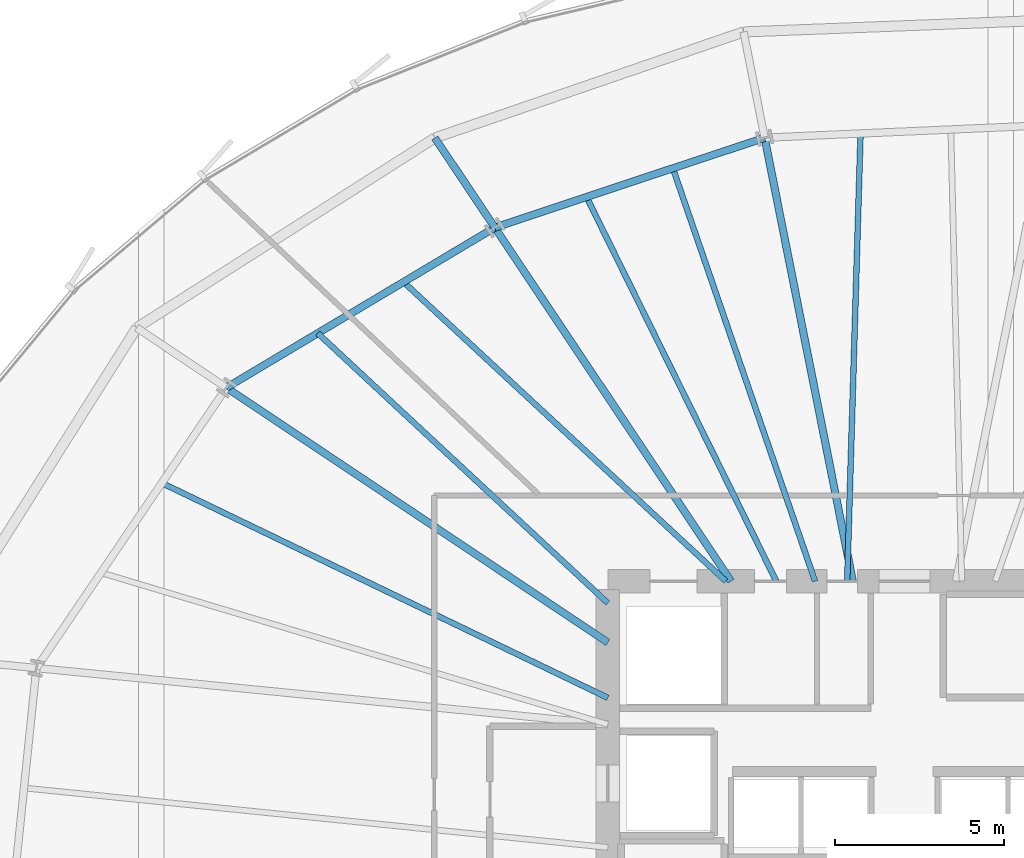
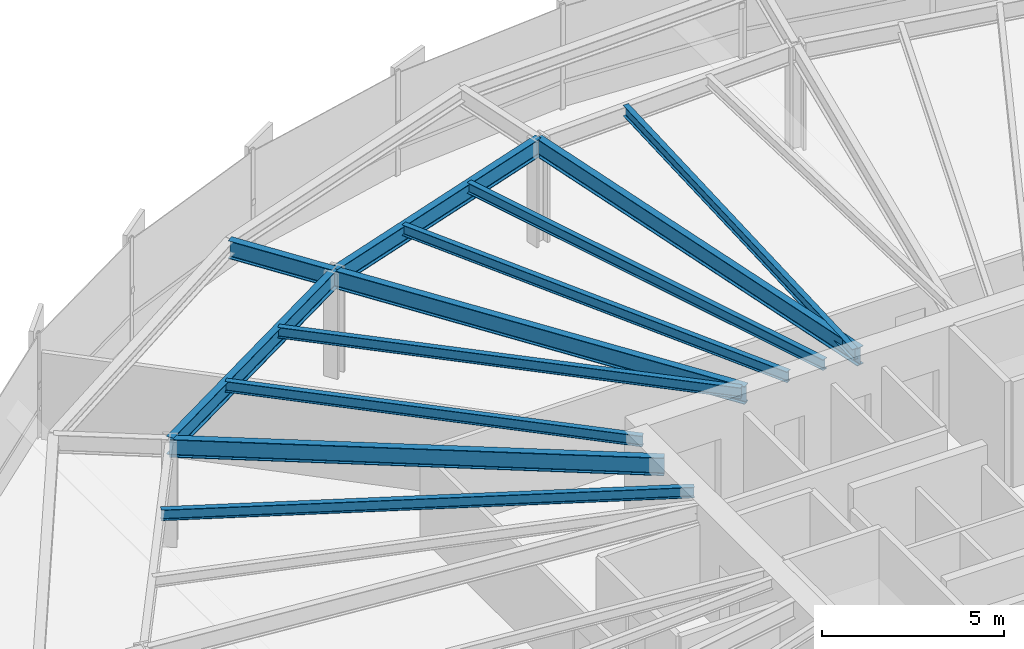
# One storey, part 22 of 39: 12 beams.
"""IFC4 building model written with IfcOpenShell, lengths in metres."""

from ifc_helpers import new_model, si_unit, direction, frame, origin, origin_2d, place, context, subcontext, project, spatial, i_section, extrude, source, transform, mapped, material, material_profile, profile_set, type_object, element, save


model = new_model("IFC4")

# Units and contexts
model_context = context("Model", 3, precision=1e-05, world=origin(), true_north=direction((0.0, 1.0)))
body_context = subcontext(model_context, "Body", "Model", "MODEL_VIEW")
ifc_project = project(units=[si_unit("LENGTHUNIT", "METRE"), si_unit("AREAUNIT", "SQUARE_METRE"), si_unit("VOLUMEUNIT", "CUBIC_METRE"), si_unit("PLANEANGLEUNIT", "RADIAN"), si_unit("MASSUNIT", "GRAM", prefix="KILO"), si_unit("THERMODYNAMICTEMPERATUREUNIT", "KELVIN")], contexts=[model_context])

# Site, building, storey
site_placement = place(None, origin())
site = spatial("IfcSite", under=ifc_project, at=site_placement, CompositionType="ELEMENT")
building_placement = place(site_placement, origin())
building = spatial("IfcBuilding", under=site, at=building_placement, Name="Kethvar Cultural Tower", CompositionType="ELEMENT")
storey_placement = place(building_placement, frame((0.0, 0.0, 33.39990234375)))
storey = spatial("IfcBuildingStorey", under=building, at=storey_placement, Name="L07", CompositionType="ELEMENT", Elevation=33.39990234375)

# Beams
ifc_material = material(Name="Steel S355J2", Category="steel")
ifc_material_profile_1 = material_profile(ifc_material, i_section(OverallWidth=0.219970703125, OverallDepth=0.60009765625, WebThickness=0.011962890625, FlangeThickness=0.01904296875, FilletRadius=0.02392578125, at=origin_2d()), Name="Steel S355J2 — IPE600")
ifc_profile_set_1 = profile_set([ifc_material_profile_1], Name="Steel S355J2 — IPE600")
beam_type_1 = type_object("IfcBeamType", Name="BM-IPE600", PredefinedType="BEAM", material=ifc_profile_set_1)
shared_shape_1 = source(origin(), body_context, "Body", "SweptSolid", [
    extrude(i_section(OverallWidth=0.219970703125, OverallDepth=0.60009765625, WebThickness=0.011962890625, FlangeThickness=0.01904296875, FilletRadius=0.02392578125, at=origin_2d()), origin(), (0.0, 0.0, 1.0), 3.199951171875),
])
beam_1_placement = place(storey_placement, frame((34.64599609375, 45.98974609375, 3.248046875), z_axis=(-0.555580212716, 0.831462943996, 0.0), x_axis=(-0.831462943996, -0.555580212716, 0.0)))
element("IfcBeam", 1, at=beam_1_placement, inside=storey, type_object=beam_type_1, Name="L07 Perimeter Cantilever Beam RC-06", PredefinedType="BEAM", context=body_context, shape_type="MappedRepresentation", body=[
    mapped(shared_shape_1, transform((0.0, 0.0, 0.0), scale=1.0)),
])
shared_shape_2 = source(origin(), body_context, "Body", "SweptSolid", [
    extrude(i_section(OverallWidth=0.219970703125, OverallDepth=0.60009765625, WebThickness=0.011962890625, FlangeThickness=0.01904296875, FilletRadius=0.02392578125, at=origin_2d()), origin(), (0.0, 0.0, 1.0), 13.41357421875),
])
beam_2_placement = place(storey_placement, frame((45.268310546875, 35.5, 3.248046875), z_axis=(-0.195079960025, 0.980787341474, 0.0), x_axis=(-0.980787341474, -0.195079960025, 0.0)))
element("IfcBeam", 2, at=beam_2_placement, inside=storey, type_object=beam_type_1, Name="L07 Primary Radial Beam RB-05", PredefinedType="BEAM", context=body_context, shape_type="MappedRepresentation", body=[
    mapped(shared_shape_2, transform((0.0, 0.0, 0.0), scale=1.0)),
])
shared_shape_3 = source(origin(), body_context, "Body", "SweptSolid", [
    extrude(i_section(OverallWidth=0.219970703125, OverallDepth=0.60009765625, WebThickness=0.011962890625, FlangeThickness=0.01904296875, FilletRadius=0.02392578125, at=origin_2d()), origin(), (0.0, 0.0, 1.0), 12.615966796875),
])
beam_3_placement = place(storey_placement, frame((41.655029296875, 35.5, 3.248046875), z_axis=(-0.555570723257, 0.831469284736, 0.0), x_axis=(-0.831469284736, -0.555570723257, 0.0)))
element("IfcBeam", 3, at=beam_3_placement, inside=storey, type_object=beam_type_1, Name="L07 Primary Radial Beam RB-06", PredefinedType="BEAM", context=body_context, shape_type="MappedRepresentation", body=[
    mapped(shared_shape_3, transform((0.0, 0.0, 0.0), scale=1.0)),
])
shared_shape_4 = source(origin(), body_context, "Body", "SweptSolid", [
    extrude(i_section(OverallWidth=0.219970703125, OverallDepth=0.60009765625, WebThickness=0.011962890625, FlangeThickness=0.01904296875, FilletRadius=0.02392578125, at=origin_2d()), origin(), (0.0, 0.0, 1.0), 13.60888671875),
])
beam_4_placement = place(storey_placement, frame((38.0, 33.679931640625, 3.248046875), z_axis=(-0.831467486755, 0.555573414113, 0.0), x_axis=(-0.555573414113, -0.831467486755, 0.0)))
element("IfcBeam", 4, at=beam_4_placement, inside=storey, type_object=beam_type_1, Name="L07 Primary Radial Beam RB-07", PredefinedType="BEAM", context=body_context, shape_type="MappedRepresentation", body=[
    mapped(shared_shape_4, transform((0.0, 0.0, 0.0), scale=1.0)),
])
ifc_material_profile_2 = material_profile(ifc_material, i_section(OverallWidth=0.169921875, OverallDepth=0.360107421875, WebThickness=0.008056640625, FlangeThickness=0.0126953125, FilletRadius=0.01806640625, at=origin_2d()), Name="Steel S355J2 — IPE360")
ifc_profile_set_2 = profile_set([ifc_material_profile_2], Name="Steel S355J2 — IPE360")
beam_type_2 = type_object("IfcBeamType", Name="BM-J360", PredefinedType="JOIST", material=ifc_profile_set_2)
shared_shape_5 = source(origin(), body_context, "Body", "SweptSolid", [
    extrude(i_section(OverallWidth=0.169921875, OverallDepth=0.360107421875, WebThickness=0.008056640625, FlangeThickness=0.0126953125, FilletRadius=0.01806640625, at=origin_2d()), origin(), (0.0, 0.0, 1.0), 13.287353515625),
])
beam_5_placement = place(storey_placement, frame((45.10009765625, 35.5, 3.3681640625), z_axis=(0.029912529234, 0.999552520178, 0.0), x_axis=(-0.999552520178, 0.029912529234, 0.0)))
element("IfcBeam", 5, at=beam_5_placement, inside=storey, type_object=beam_type_2, Name="L07 Composite Floor Joist J-04B", PredefinedType="JOIST", context=body_context, shape_type="MappedRepresentation", body=[
    mapped(shared_shape_5, transform((0.0, 0.0, 0.0), scale=1.0)),
])
shared_shape_6 = source(origin(), body_context, "Body", "SweptSolid", [
    extrude(i_section(OverallWidth=0.219970703125, OverallDepth=0.60009765625, WebThickness=0.011962890625, FlangeThickness=0.01904296875, FilletRadius=0.02392578125, at=origin_2d()), origin(), (0.0, 0.0, 1.0), 8.437744140625),
])
beam_6_placement = place(storey_placement, frame((42.651611328125, 48.65576171875, 3.248046875), z_axis=(-0.948772955115, -0.315958667618, 0.0), x_axis=(0.315958667618, -0.948772955115, 0.0)))
element("IfcBeam", 6, at=beam_6_placement, inside=storey, type_object=beam_type_1, Name="L07 Column Ring Tie Beam CR-05", PredefinedType="BEAM", context=body_context, shape_type="MappedRepresentation", body=[
    mapped(shared_shape_6, transform((0.0, 0.0, 0.0), scale=1.0)),
])
shared_shape_7 = source(origin(), body_context, "Body", "SweptSolid", [
    extrude(i_section(OverallWidth=0.169921875, OverallDepth=0.360107421875, WebThickness=0.008056640625, FlangeThickness=0.0126953125, FilletRadius=0.01806640625, at=origin_2d()), origin(), (0.0, 0.0, 1.0), 12.955322265625),
])
beam_7_placement = place(storey_placement, frame((44.148193359375, 35.5, 3.3681640625), z_axis=(-0.325619549533, 0.945500877293, 0.0), x_axis=(-0.945500877293, -0.325619549533, 0.0)))
element("IfcBeam", 7, at=beam_7_placement, inside=storey, type_object=beam_type_2, Name="L07 Composite Floor Joist J-05A", PredefinedType="JOIST", context=body_context, shape_type="MappedRepresentation", body=[
    mapped(shared_shape_7, transform((0.0, 0.0, 0.0), scale=1.0)),
])
shared_shape_8 = source(origin(), body_context, "Body", "SweptSolid", [
    extrude(i_section(OverallWidth=0.169921875, OverallDepth=0.360107421875, WebThickness=0.008056640625, FlangeThickness=0.0126953125, FilletRadius=0.01806640625, at=origin_2d()), origin(), (0.0, 0.0, 1.0), 12.710693359375),
])
beam_8_placement = place(storey_placement, frame((42.996826171875, 35.5, 3.3681640625), z_axis=(-0.442851992051, 0.896594731825, 0.0), x_axis=(-0.896594731825, -0.442851992051, 0.0)))
element("IfcBeam", 8, at=beam_8_placement, inside=storey, type_object=beam_type_2, Name="L07 Composite Floor Joist J-05B", PredefinedType="JOIST", context=body_context, shape_type="MappedRepresentation", body=[
    mapped(shared_shape_8, transform((0.0, 0.0, 0.0), scale=1.0)),
])
shared_shape_9 = source(origin(), body_context, "Body", "SweptSolid", [
    extrude(i_section(OverallWidth=0.219970703125, OverallDepth=0.60009765625, WebThickness=0.011962890625, FlangeThickness=0.01904296875, FilletRadius=0.02392578125, at=origin_2d()), origin(), (0.0, 0.0, 1.0), 9.270263671875),
])
beam_9_placement = place(storey_placement, frame((34.64599609375, 45.98974609375, 3.248046875), z_axis=(-0.858814626354, -0.51228647997, 0.0), x_axis=(0.51228647997, -0.858814626354, 0.0)))
element("IfcBeam", 9, at=beam_9_placement, inside=storey, type_object=beam_type_1, Name="L07 Column Ring Tie Beam CR-06", PredefinedType="BEAM", context=body_context, shape_type="MappedRepresentation", body=[
    mapped(shared_shape_9, transform((0.0, 0.0, 0.0), scale=1.0)),
])
shared_shape_10 = source(origin(), body_context, "Body", "SweptSolid", [
    extrude(i_section(OverallWidth=0.169921875, OverallDepth=0.360107421875, WebThickness=0.008056640625, FlangeThickness=0.0126953125, FilletRadius=0.01806640625, at=origin_2d()), origin(), (0.0, 0.0, 1.0), 13.045166015625),
])
beam_10_placement = place(storey_placement, frame((41.5, 35.5, 3.3681640625), z_axis=(-0.732903465528, 0.680332646737, 0.0), x_axis=(-0.680332646737, -0.732903465528, 0.0)))
element("IfcBeam", 10, at=beam_10_placement, inside=storey, type_object=beam_type_2, Name="L07 Composite Floor Joist J-06A", PredefinedType="JOIST", context=body_context, shape_type="MappedRepresentation", body=[
    mapped(shared_shape_10, transform((0.0, 0.0, 0.0), scale=1.0)),
])
shared_shape_11 = source(origin(), body_context, "Body", "SweptSolid", [
    extrude(i_section(OverallWidth=0.169921875, OverallDepth=0.360107421875, WebThickness=0.008056640625, FlangeThickness=0.0126953125, FilletRadius=0.01806640625, at=origin_2d()), origin(), (0.0, 0.0, 1.0), 11.75537109375),
])
beam_11_placement = place(storey_placement, frame((38.0, 34.85009765625, 3.3681640625), z_axis=(-0.732290300234, 0.680992596276, 0.0), x_axis=(-0.680992596276, -0.732290300234, 0.0)))
element("IfcBeam", 11, at=beam_11_placement, inside=storey, type_object=beam_type_2, Name="L07 Composite Floor Joist J-06B", PredefinedType="JOIST", context=body_context, shape_type="MappedRepresentation", body=[
    mapped(shared_shape_11, transform((0.0, 0.0, 0.0), scale=1.0)),
])
shared_shape_12 = source(origin(), body_context, "Body", "SweptSolid", [
    extrude(i_section(OverallWidth=0.169921875, OverallDepth=0.360107421875, WebThickness=0.008056640625, FlangeThickness=0.0126953125, FilletRadius=0.01806640625, at=origin_2d()), origin(), (0.0, 0.0, 1.0), 14.687255859375),
])
beam_12_placement = place(storey_placement, frame((38.0, 32.038818359375, 3.3681640625), z_axis=(-0.900928984091, 0.433966548971, 0.0), x_axis=(-0.433966548971, -0.900928984091, 0.0)))
element("IfcBeam", 12, at=beam_12_placement, inside=storey, type_object=beam_type_2, Name="L07 Composite Floor Joist J-07A", PredefinedType="JOIST", context=body_context, shape_type="MappedRepresentation", body=[
    mapped(shared_shape_12, transform((0.0, 0.0, 0.0), scale=1.0)),
])

save(model, "model.ifc")
